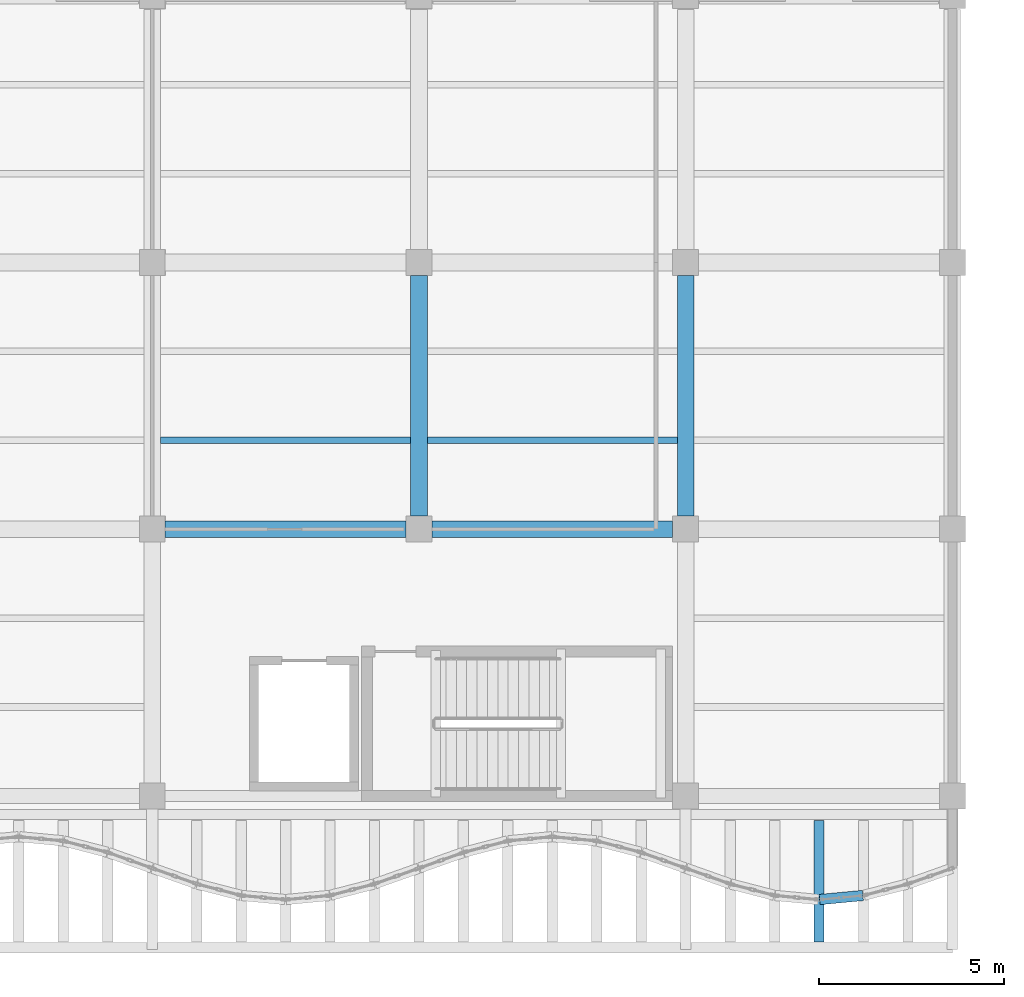
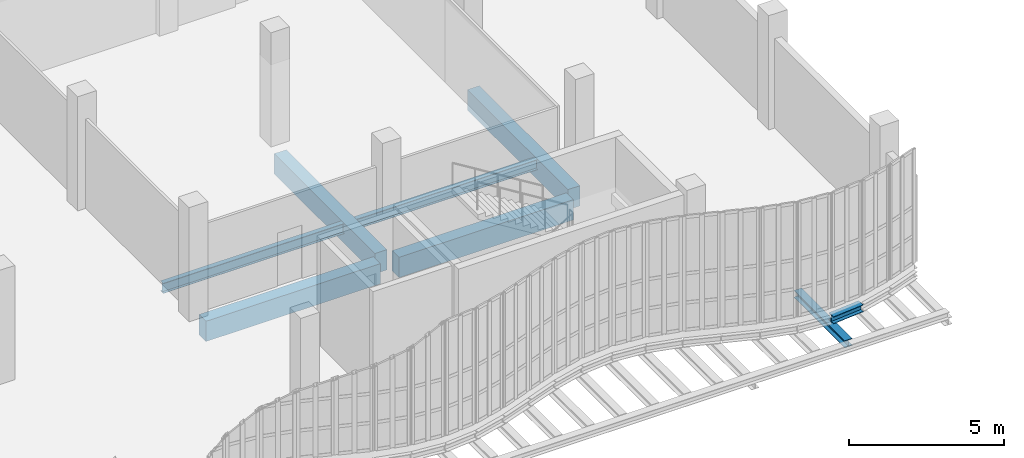
# One storey, part 38 of 108: 8 beams.
"""IFC4 building model written with IfcOpenShell, lengths in metres."""

from ifc_helpers import new_model, si_unit, direction, frame, origin, origin_2d, place, context, subcontext, project, spatial, rectangle, i_section, extrude, material, material_profile, profile_set, type_object, element, save


model = new_model("IFC4")

# Units and contexts
model_context = context("Model", 3, precision=1e-05, world=origin(), true_north=direction((0.0, 1.0)))
body_context = subcontext(model_context, "Body", "Model", "MODEL_VIEW")
ifc_project = project(units=[si_unit("LENGTHUNIT", "METRE"), si_unit("AREAUNIT", "SQUARE_METRE"), si_unit("VOLUMEUNIT", "CUBIC_METRE"), si_unit("PLANEANGLEUNIT", "RADIAN"), si_unit("MASSUNIT", "GRAM", prefix="KILO"), si_unit("THERMODYNAMICTEMPERATUREUNIT", "KELVIN"), si_unit("POWERUNIT", "WATT")], contexts=[model_context])

# Site, building, storey
site_placement = place(None, origin())
site = spatial("IfcSite", under=ifc_project, at=site_placement, CompositionType="ELEMENT")
building_placement = place(site_placement, origin())
building = spatial("IfcBuilding", under=site, at=building_placement, Name="Kaldorven Railside Theatre", CompositionType="ELEMENT")
storey_placement = place(building_placement, frame((0.0, 0.0, 5.39990234375)))
storey = spatial("IfcBuildingStorey", under=building, at=storey_placement, Name="L01", CompositionType="ELEMENT", Elevation=5.39990234375)

# Beams
ifc_material_1 = material(Name="Steel S355", Category="steel")
ifc_material_profile_1 = material_profile(ifc_material_1, i_section(OverallWidth=0.280029296875, OverallDepth=0.280029296875, WebThickness=0.010498046875, FlangeThickness=0.01806640625, at=origin_2d()), Name="HEB 280")
ifc_profile_set_1 = profile_set([ifc_material_profile_1], Name="Steel S355")
beam_type_1 = type_object("IfcBeamType", Name="BM-HEB280", PredefinedType="SPANDREL", material=ifc_profile_set_1)
beam_1_placement = place(storey_placement, frame((119.614990234375, 16.4013671875, -0.43994140625), z_axis=(0.99552436473, 0.094505233873, 0.0), x_axis=(-0.094505233873, 0.99552436473, 0.0)))
element("IfcBeam", 1, at=beam_1_placement, inside=storey, type_object=beam_type_1, Name="L01 Sinusoidal Flute Edge Spandrel FSB-070", PredefinedType="SPANDREL", context=body_context, shape_type="SweptSolid", body=[
    extrude(i_section(OverallWidth=0.280029296875, OverallDepth=0.280029296875, WebThickness=0.010498046875, FlangeThickness=0.01806640625, at=origin_2d()), origin(), (0.0, 0.0, 1.0), 1.175537109375),
])
beam_2_placement = place(storey_placement, frame((119.60009765625, 15.260009765625, -0.719970703125), z_axis=(0.0, 1.0, 0.0), x_axis=(-1.0, 0.0, 0.0)))
element("IfcBeam", 2, at=beam_2_placement, inside=storey, type_object=beam_type_1, Name="L01 Sinusoidal Diaphragm Rib Outrigger FOB-M070", PredefinedType="SPANDREL", context=body_context, shape_type="SweptSolid", body=[
    extrude(i_section(OverallWidth=0.280029296875, OverallDepth=0.280029296875, WebThickness=0.010498046875, FlangeThickness=0.01806640625, at=origin_2d()), origin(), (0.0, 0.0, 1.0), 3.280029296875),
])
ifc_material_profile_2 = material_profile(ifc_material_1, i_section(OverallWidth=0.179931640625, OverallDepth=0.39990234375, WebThickness=0.008544921875, FlangeThickness=0.013427734375, at=origin_2d()), Name="IPE 400")
ifc_profile_set_2 = profile_set([ifc_material_profile_2], Name="Steel S355")
beam_type_2 = type_object("IfcBeamType", Name="BM-IPE400", PredefinedType="JOIST", material=ifc_profile_set_2)
for number, where, z_axis, x_axis, name in (
    (3, (101.824951171875, 28.800048828125, -0.5), (1.0, 0.0, 0.0), (0.0, 1.0, 0.0), "L01 Secondary Floor Joist JG-L01-101-0288"),
    (4, (109.02490234375, 28.800048828125, -0.5), (1.0, 0.0, 0.0), (0.0, 1.0, 0.0), "L01 Secondary Floor Joist JG-L01-108-0288"),
):
    element("IfcBeam", number, at=place(storey_placement, frame(where, z_axis=z_axis, x_axis=x_axis)), inside=storey, type_object=beam_type_2, Name=name, PredefinedType="JOIST", context=body_context, shape_type="SweptSolid", body=[
        extrude(i_section(OverallWidth=0.179931640625, OverallDepth=0.39990234375, WebThickness=0.008544921875, FlangeThickness=0.013427734375, at=origin_2d()), origin(), (0.0, 0.0, 1.0), 6.75),
    ])
ifc_material_2 = material(Name="Concrete C40/50", Category="concrete")
ifc_material_profile_3 = material_profile(ifc_material_2, rectangle(XDim=0.449951171875, YDim=0.800048828125, at=origin_2d()), Name="RC 450x800")
ifc_profile_set_3 = profile_set([ifc_material_profile_3], Name="Concrete C40/50")
beam_type_3 = type_object("IfcBeamType", Name="BM-RC450x800", PredefinedType="BEAM", material=ifc_profile_set_3)
for number, where, z_axis, x_axis, name in (
    (5, (101.949951171875, 26.39990234375, -0.699951171875), (1.0, 0.0, 0.0), (0.0, 1.0, 0.0), "L01 Girder BGX-L01-101-026"),
    (6, (109.14990234375, 26.39990234375, -0.699951171875), (1.0, 0.0, 0.0), (0.0, 1.0, 0.0), "L01 Girder BGX-L01-108-026"),
    (7, (108.800048828125, 26.75, -0.699951171875), (0.0, 1.0, 0.0), (-1.0, 0.0, 0.0), "L01 Girder BGY-L01-108-026-72"),
    (8, (116.0, 26.75, -0.699951171875), (0.0, 1.0, 0.0), (-1.0, 0.0, 0.0), "L01 Girder BGY-L01-116-026-72"),
):
    element("IfcBeam", number, at=place(storey_placement, frame(where, z_axis=z_axis, x_axis=x_axis)), inside=storey, type_object=beam_type_3, Name=name, PredefinedType="BEAM", context=body_context, shape_type="SweptSolid", body=[
        extrude(rectangle(XDim=0.449951171875, YDim=0.800048828125, at=origin_2d()), origin(), (0.0, 0.0, 1.0), 6.5),
    ])

save(model, "model.ifc")
